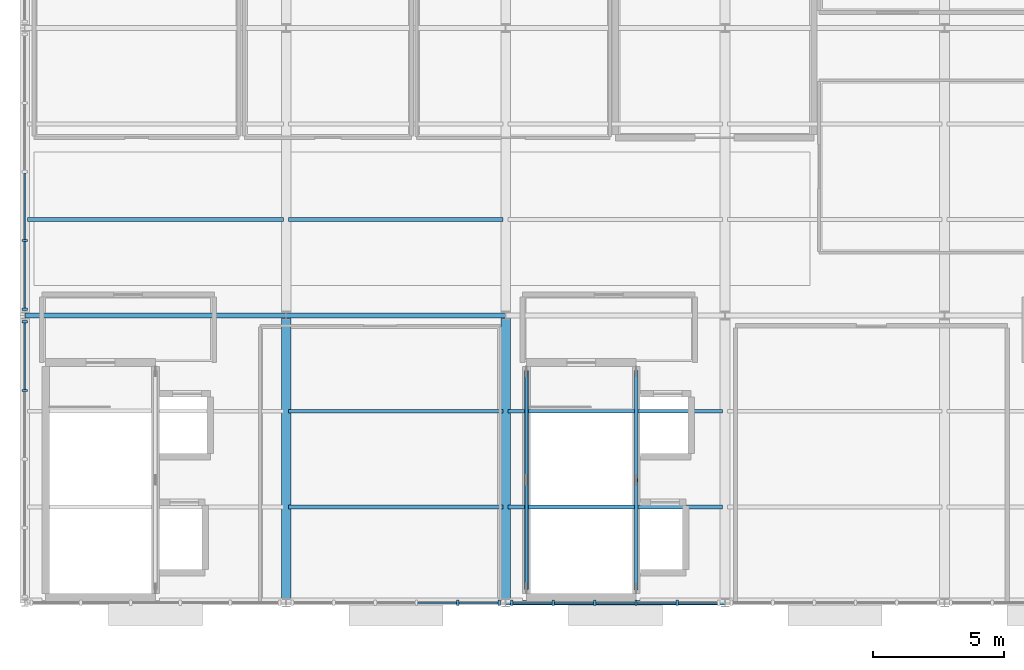
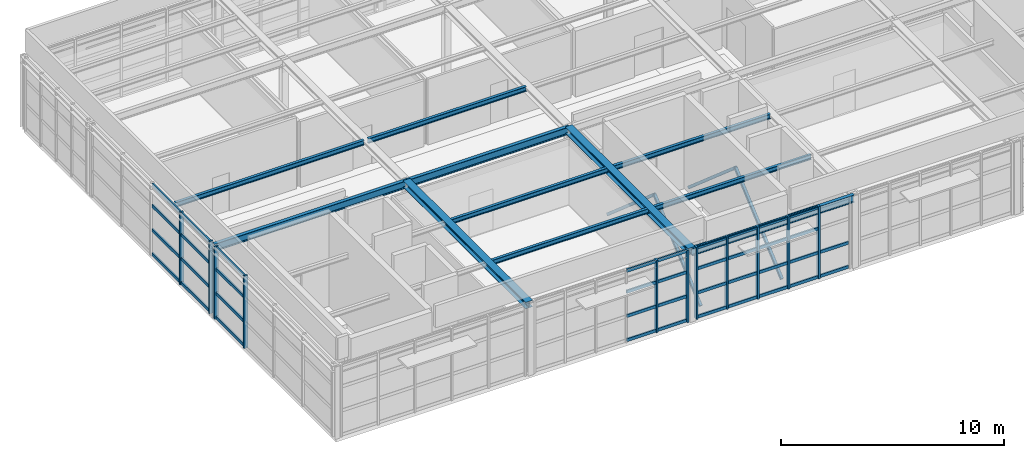
# One storey, part 5 of 18: 53 members, 11 beams, 4 elements without a shape of their own.
"""IFC4 building model written with IfcOpenShell, lengths in metres."""

import ifcopenshell
import ifcopenshell.guid

model = None  # the IFC model being written
_history = None  # IfcOwnerHistory: only IFC2X3 demands one
_inside = {}  # id of a spatial element -> (the spatial element, [elements in it])
_under = {}  # id of a project, library or spatial element -> (it, [spatial elements below it])
_declared = {}  # id of a project -> (the project, [libraries it declares])
_typed = {}  # id of a type object -> (the type object, [elements of that type])
_made_of = {}  # id of a material, layer set ... -> (it, [elements and type objects made of it])


def new_model(schema):
    """Start an empty IFC model of exactly this schema.

    Asked for "IFC4X3", IfcOpenShell would pick the latest addendum, in which some entities
    have other attributes; the version numbers below select the first issue.
    IFC2X3 requires an IfcOwnerHistory on every rooted entity: one is made here for all.
    """
    global model, _history
    if schema == "IFC4X3":
        model = ifcopenshell.file(schema_version=(4, 3, 0, 0))
    else:
        model = ifcopenshell.file(schema=schema)
    _inside.clear()
    _under.clear()
    _declared.clear()
    _typed.clear()
    _made_of.clear()
    _history = None
    if model.schema == "IFC2X3":
        org = make("IfcOrganization", Name="unknown")
        user = make(
            "IfcPersonAndOrganization",
            ThePerson=make("IfcPerson", FamilyName="unknown"),
            TheOrganization=org,
        )
        app = make(
            "IfcApplication",
            ApplicationDeveloper=org,
            Version="unknown",
            ApplicationFullName="unknown",
            ApplicationIdentifier="unknown",
        )
        _history = make(
            "IfcOwnerHistory",
            OwningUser=user,
            OwningApplication=app,
            ChangeAction="ADDED",
            CreationDate=0,
        )
    return model


def make(cls, **values):
    """One entity of the class cls with the attributes given. An attribute that is None is left unset."""
    return model.create_entity(
        cls, **{name: value for name, value in values.items() if value is not None}
    )


def rooted(cls, **values):
    """An entity with a GlobalId (a new one), such as an element, a storey or a relation."""
    return make(cls, GlobalId=ifcopenshell.guid.new(), OwnerHistory=_history, **values)


def si_unit(unit_type, name, prefix=None):
    """IfcSIUnit, for example si_unit("LENGTHUNIT", "METRE", prefix="MILLI")."""
    return make("IfcSIUnit", UnitType=unit_type, Prefix=prefix, Name=name)


def assignment(units):
    """IfcUnitAssignment: the units of a project."""
    return None if units is None else make("IfcUnitAssignment", Units=units)


def point(xyz):
    """IfcCartesianPoint."""
    return None if xyz is None else make("IfcCartesianPoint", Coordinates=xyz)


def direction(xyz):
    """IfcDirection."""
    return None if xyz is None else make("IfcDirection", DirectionRatios=xyz)


def frame(location, z_axis=None, x_axis=None):
    """IfcAxis2Placement3D, a coordinate frame: its origin and axes. An axis left out is left unset."""
    return make(
        "IfcAxis2Placement3D",
        Location=point(location),
        Axis=direction(z_axis),
        RefDirection=direction(x_axis),
    )


def frame_2d(location, x_axis=None):
    """IfcAxis2Placement2D, a coordinate frame in the plane: its origin and x axis."""
    return make(
        "IfcAxis2Placement2D", Location=point(location), RefDirection=direction(x_axis)
    )


def origin():
    """The frame at (0, 0, 0) with its axes left unset."""
    return frame((0.0, 0.0, 0.0))


def origin_2d():
    """The frame at (0, 0) in the plane with its x axis left unset."""
    return frame_2d((0.0, 0.0))


def place(relative_to, where):
    """IfcLocalPlacement: puts the frame where relative to a parent placement (None: the world)."""
    return make(
        "IfcLocalPlacement", PlacementRelTo=relative_to, RelativePlacement=where
    )


def context(
    kind, dimensions, precision=None, world=None, true_north=None, identifier=None
):
    """IfcGeometricRepresentationContext, for example the 3D "Model" context."""
    return make(
        "IfcGeometricRepresentationContext",
        ContextIdentifier=identifier,
        ContextType=kind,
        CoordinateSpaceDimension=dimensions,
        Precision=precision,
        WorldCoordinateSystem=world,
        TrueNorth=true_north,
    )


def subcontext(parent, identifier, kind, view, scale=None):
    """IfcGeometricRepresentationSubContext, for example "Body" below "Model"."""
    return make(
        "IfcGeometricRepresentationSubContext",
        ContextIdentifier=identifier,
        ContextType=kind,
        ParentContext=parent,
        TargetScale=scale,
        TargetView=view,
    )


def project(units=None, contexts=None):
    """IfcProject with its units and contexts."""
    return rooted(
        "IfcProject",
        Name="project",
        RepresentationContexts=contexts,
        UnitsInContext=assignment(units),
    )


def spatial(cls, under=None, at=None, **own):
    """A site, building, storey or space (cls), placed at a placement, below another one or the project."""
    s = rooted(cls, ObjectPlacement=at, **own)
    if under is not None:
        _under.setdefault(under.id(), (under, []))[1].append(s)
    return s


def profile(cls, at=None, kind="AREA", **sizes):
    """A parametric profile (cls). Its sizes go by their IFC names, for example OverallWidth=200.0."""
    return make(cls, ProfileType=kind, Position=at, **sizes)


def rectangle(**sizes):
    """IfcRectangleProfileDef."""
    return profile("IfcRectangleProfileDef", **sizes)


def hollow_rectangle(**sizes):
    """IfcRectangleHollowProfileDef."""
    return profile("IfcRectangleHollowProfileDef", **sizes)


def i_section(**sizes):
    """IfcIShapeProfileDef."""
    return profile("IfcIShapeProfileDef", **sizes)


def extrude(swept, where, along, depth):
    """IfcExtrudedAreaSolid: the profile swept, set in the frame where, extruded along a direction by depth."""
    return make(
        "IfcExtrudedAreaSolid",
        SweptArea=swept,
        Position=where,
        ExtrudedDirection=direction(along),
        Depth=depth,
    )


def shape(context_of_items, identifier, shape_type, items):
    """IfcShapeRepresentation: the items that make up one representation, for example the "Body"."""
    return make(
        "IfcShapeRepresentation",
        ContextOfItems=context_of_items,
        RepresentationIdentifier=identifier,
        RepresentationType=shape_type,
        Items=items,
    )


def material(Name=None, Category=None):
    """IfcMaterial."""
    return make("IfcMaterial", Name=Name, Category=Category)


def layer(
    of_material, thickness, ventilated=None, Name=None, Category=None, Priority=None
):
    """IfcMaterialLayer: one layer of a wall or slab, of a material (None: an air gap)."""
    return make(
        "IfcMaterialLayer",
        Material=of_material,
        LayerThickness=thickness,
        IsVentilated=ventilated,
        Name=Name,
        Category=Category,
        Priority=Priority,
    )


def layer_set(layers, Name=None):
    """IfcMaterialLayerSet."""
    return make("IfcMaterialLayerSet", MaterialLayers=layers, LayerSetName=Name)


def material_profile(
    of_material, cross_section, Name=None, Category=None, Priority=None
):
    """IfcMaterialProfile: a cross section and its material."""
    return make(
        "IfcMaterialProfile",
        Name=Name,
        Material=of_material,
        Profile=cross_section,
        Priority=Priority,
        Category=Category,
    )


def profile_set(profiles, Name=None, composite=None):
    """IfcMaterialProfileSet."""
    return make(
        "IfcMaterialProfileSet",
        Name=Name,
        MaterialProfiles=profiles,
        CompositeProfile=composite,
    )


def made_of(thing, what):
    """Note that an element or type object is made of a material, layer set ...; save() writes the relation."""
    if what is not None:
        _made_of.setdefault(what.id(), (what, []))[1].append(thing)
    return thing


def type_object(cls, material=None, **own):
    """A type object (cls), such as IfcWallType, which elements share."""
    return made_of(rooted(cls, **own), material)


def element(
    cls,
    number,
    at=None,
    inside=None,
    cuts=None,
    type_object=None,
    material=None,
    context=None,
    identifier="Body",
    shape_type=None,
    held_by="IfcProductDefinitionShape",
    body=None,
    shapes=None,
    **own,
):
    """One element of the class cls, such as IfcWall. Its Tag is "e" and its number.

    at: its placement. inside: the storey or other place that contains it. cuts: it is an
    opening in that element (IfcRelVoidsElement). A single representation is given by context,
    identifier, shape_type and body (its items); several are given by shapes. held_by: the class
    of the entity that holds the representations. save() writes the other relations.
    """
    e = rooted(cls, Tag="e%d" % number, ObjectPlacement=at, **own)
    if body is not None:
        shapes = [shape(context, identifier, shape_type, body)]
    if shapes is not None:
        e.Representation = make(held_by, Representations=shapes)
    if inside is not None:
        _inside.setdefault(inside.id(), (inside, []))[1].append(e)
    if cuts is not None:
        rooted(
            "IfcRelVoidsElement", RelatingBuildingElement=cuts, RelatedOpeningElement=e
        )
    if type_object is not None:
        _typed.setdefault(type_object.id(), (type_object, []))[1].append(e)
    return made_of(e, material)


def aggregate(whole, parts):
    """IfcRelAggregates: a whole, such as a stair, and the parts it consists of."""
    return rooted("IfcRelAggregates", RelatingObject=whole, RelatedObjects=parts)


def save(model, path):
    """Write the relations noted so far, then the file.

    IfcRelAggregates (storeys below a building ...), IfcRelContainedInSpatialStructure (elements
    in a storey), IfcRelDefinesByType, IfcRelAssociatesMaterial and IfcRelDeclares: one each for
    every whole, place, type object, material and project.
    """
    for whole, parts in _under.values():
        aggregate(whole, parts)
    for where, things in _inside.values():
        rooted(
            "IfcRelContainedInSpatialStructure",
            RelatedElements=things,
            RelatingStructure=where,
        )
    for kind, things in _typed.values():
        rooted("IfcRelDefinesByType", RelatedObjects=things, RelatingType=kind)
    for what, things in _made_of.values():
        rooted("IfcRelAssociatesMaterial", RelatedObjects=things, RelatingMaterial=what)
    for by, libraries in _declared.values():
        rooted("IfcRelDeclares", RelatingContext=by, RelatedDefinitions=libraries)
    model.write(path)


model = new_model("IFC4")

# Units and contexts
model_context = context("Model", 3, precision=1e-05, world=origin(), true_north=direction((0.0, 1.0)))
body_context = subcontext(model_context, "Body", "Model", "MODEL_VIEW")
ifc_project = project(units=[si_unit("LENGTHUNIT", "METRE"), si_unit("AREAUNIT", "SQUARE_METRE"), si_unit("VOLUMEUNIT", "CUBIC_METRE"), si_unit("PLANEANGLEUNIT", "RADIAN"), si_unit("MASSUNIT", "GRAM", prefix="KILO")], contexts=[model_context])

# Site, building, storey
site_placement = place(None, origin())
site = spatial("IfcSite", under=ifc_project, at=site_placement, CompositionType="ELEMENT")
building_placement = place(site_placement, origin())
building = spatial("IfcBuilding", under=site, at=building_placement, Name="Sitalva Quay Ferry Terminal", CompositionType="ELEMENT")
storey_placement = place(building_placement, frame((0.0, 0.0, 18.60009765625)))
storey = spatial("IfcBuildingStorey", under=building, at=storey_placement, Name="L05", CompositionType="ELEMENT", Elevation=18.60009765625)

# Beams
ifc_material_1 = material(Name="Structural Steel S355JR", Category="steel")
ifc_material_profile_1 = material_profile(ifc_material_1, i_section(OverallWidth=0.368896484375, OverallDepth=0.35595703125, WebThickness=0.01123046875, FlangeThickness=0.01806640625, FilletRadius=0.014892578125, at=origin_2d()), Name="W360x134")
ifc_profile_set_1 = profile_set([ifc_material_profile_1], Name="Structural Steel S355JR")
beam_type_1 = type_object("IfcBeamType", Name="Beam_W360x134", PredefinedType="BEAM", material=ifc_profile_set_1)
for number, where, z_axis, x_axis, name in (
    (1, (84.0, 78.0, 3.781982421875), (0.0, 1.0, 0.0), (-1.0, 0.0, 0.0), "L05 Primary Y girder 1423"),
    (2, (92.39990234375, 78.0, 3.781982421875), (0.0, 1.0, 0.0), (-1.0, 0.0, 0.0), "L05 Primary Y girder 1426"),
):
    element("IfcBeam", number, at=place(storey_placement, frame(where, z_axis=z_axis, x_axis=x_axis)), inside=storey, type_object=beam_type_1, Name=name, PredefinedType="BEAM", context=body_context, shape_type="SweptSolid", body=[
        extrude(i_section(OverallWidth=0.368896484375, OverallDepth=0.35595703125, WebThickness=0.01123046875, FlangeThickness=0.01806640625, FilletRadius=0.014892578125, at=origin_2d()), origin(), (0.0, 0.0, 1.0), 11.0),
    ])
ifc_material_2 = material(Name="Structural Steel S355JR", Category="steel")
ifc_material_profile_2 = material_profile(ifc_material_2, i_section(OverallWidth=0.178955078125, OverallDepth=0.409912109375, WebThickness=0.0087890625, FlangeThickness=0.014404296875, FilletRadius=0.012939453125, at=origin_2d()), Name="W410x67")
ifc_profile_set_2 = profile_set([ifc_material_profile_2], Name="Structural Steel S355JR")
beam_type_2 = type_object("IfcBeamType", Name="Beam_W410x67", PredefinedType="BEAM", material=ifc_profile_set_2)
beam_1_placement = place(storey_placement, frame((92.39990234375, 78.0, 3.7548828125), z_axis=(1.0, 0.0, 0.0), x_axis=(0.0, 1.0, 0.0)))
element("IfcBeam", 3, at=beam_1_placement, inside=storey, type_object=beam_type_2, Name="L05 Primary X girder 1402", PredefinedType="BEAM", context=body_context, shape_type="SweptSolid", body=[
    extrude(i_section(OverallWidth=0.178955078125, OverallDepth=0.409912109375, WebThickness=0.0087890625, FlangeThickness=0.014404296875, FilletRadius=0.012939453125, at=origin_2d()), origin(), (0.0, 0.0, 1.0), 8.400146484375),
])
beam_2_placement = place(storey_placement, frame((74.0, 89.0, 3.7548828125), z_axis=(1.0, 0.0, 0.0), x_axis=(0.0, 1.0, 0.0)))
element("IfcBeam", 4, at=beam_2_placement, inside=storey, type_object=beam_type_2, Name="L05 Primary X girder 1405", PredefinedType="BEAM", context=body_context, shape_type="SweptSolid", body=[
    extrude(i_section(OverallWidth=0.178955078125, OverallDepth=0.409912109375, WebThickness=0.0087890625, FlangeThickness=0.014404296875, FilletRadius=0.012939453125, at=origin_2d()), origin(), (0.0, 0.0, 1.0), 10.0),
])
beam_3_placement = place(storey_placement, frame((84.0, 89.0, 3.7548828125), z_axis=(1.0, 0.0, 0.0), x_axis=(0.0, 1.0, 0.0)))
element("IfcBeam", 5, at=beam_3_placement, inside=storey, type_object=beam_type_2, Name="L05 Primary X girder 1406", PredefinedType="BEAM", context=body_context, shape_type="SweptSolid", body=[
    extrude(i_section(OverallWidth=0.178955078125, OverallDepth=0.409912109375, WebThickness=0.0087890625, FlangeThickness=0.014404296875, FilletRadius=0.012939453125, at=origin_2d()), origin(), (0.0, 0.0, 1.0), 8.39990234375),
])

# Members
ifc_material_3 = material(Name="Structural Steel S355JR", Category="steel")
ifc_material_profile_3 = material_profile(ifc_material_3, hollow_rectangle(XDim=0.14990234375, YDim=0.14990234375, WallThickness=0.008056640625, InnerFilletRadius=0.008056640625, OuterFilletRadius=0.01611328125, at=origin_2d()), Name="SHS150x150x8")
ifc_profile_set_3 = profile_set([ifc_material_profile_3], Name="Structural Steel S355JR")
member_type_1 = type_object("IfcMemberType", Name="Brace_SHS150x8", PredefinedType="BRACE", material=ifc_profile_set_3)
member_1_placement = place(storey_placement, frame((97.39990234375, 78.550048828125, 0.14990234375), z_axis=(0.0, 0.756274516231, 0.654254427649), x_axis=(-1.0, 0.0, 0.0)))
element("IfcMember", 6, at=member_1_placement, inside=storey, type_object=member_type_1, Name="Braced frame BF3 L05 chevron A", PredefinedType="BRACE", context=body_context, shape_type="SweptSolid", body=[
    extrude(hollow_rectangle(XDim=0.14990234375, YDim=0.14990234375, WallThickness=0.008056640625, InnerFilletRadius=0.008056640625, OuterFilletRadius=0.01611328125, at=origin_2d()), origin(), (0.0, 0.0, 1.0), 5.4873046875),
])
member_2_placement = place(storey_placement, frame((97.39990234375, 82.699951171875, 3.739990234375), z_axis=(0.0, 0.756293560007, -0.654232413666), x_axis=(-1.0, 0.0, 0.0)))
element("IfcMember", 7, at=member_2_placement, inside=storey, type_object=member_type_1, Name="Braced frame BF3 L05 chevron B", PredefinedType="BRACE", context=body_context, shape_type="SweptSolid", body=[
    extrude(hollow_rectangle(XDim=0.14990234375, YDim=0.14990234375, WallThickness=0.008056640625, InnerFilletRadius=0.008056640625, OuterFilletRadius=0.01611328125, at=origin_2d()), origin(), (0.0, 0.0, 1.0), 5.487548828125),
])
member_3_placement = place(storey_placement, frame((93.199951171875, 78.550048828125, 0.14990234375), z_axis=(0.0, 0.756274516231, 0.654254427649), x_axis=(-1.0, 0.0, 0.0)))
element("IfcMember", 8, at=member_3_placement, inside=storey, type_object=member_type_1, Name="Braced frame BF6 L05 chevron A", PredefinedType="BRACE", context=body_context, shape_type="SweptSolid", body=[
    extrude(hollow_rectangle(XDim=0.14990234375, YDim=0.14990234375, WallThickness=0.008056640625, InnerFilletRadius=0.008056640625, OuterFilletRadius=0.01611328125, at=origin_2d()), origin(), (0.0, 0.0, 1.0), 5.4873046875),
])
member_4_placement = place(storey_placement, frame((93.199951171875, 82.699951171875, 3.739990234375), z_axis=(0.0, 0.756293560007, -0.654232413666), x_axis=(-1.0, 0.0, 0.0)))
element("IfcMember", 9, at=member_4_placement, inside=storey, type_object=member_type_1, Name="Braced frame BF6 L05 chevron B", PredefinedType="BRACE", context=body_context, shape_type="SweptSolid", body=[
    extrude(hollow_rectangle(XDim=0.14990234375, YDim=0.14990234375, WallThickness=0.008056640625, InnerFilletRadius=0.008056640625, OuterFilletRadius=0.01611328125, at=origin_2d()), origin(), (0.0, 0.0, 1.0), 5.487548828125),
])

# Beams
ifc_material_4 = material(Name="Structural Steel S355JR", Category="steel")
ifc_material_profile_4 = material_profile(ifc_material_4, i_section(OverallWidth=0.14697265625, OverallDepth=0.261962890625, WebThickness=0.006591796875, FlangeThickness=0.01123046875, FilletRadius=0.010009765625, at=origin_2d()), Name="W250x39")
ifc_profile_set_4 = profile_set([ifc_material_profile_4], Name="Structural Steel S355JR")
beam_type_3 = type_object("IfcBeamType", Name="Joist_W250x39", PredefinedType="JOIST", material=ifc_profile_set_4)
for number, where, z_axis, x_axis, name in (
    (10, (84.10009765625, 81.666748046875, 3.828857421875), (1.0, 0.0, 0.0), (0.0, 1.0, 0.0), "L05 Secondary joist 1439"),
    (11, (92.5, 81.666748046875, 3.828857421875), (1.0, 0.0, 0.0), (0.0, 1.0, 0.0), "L05 Secondary joist 1440"),
    (12, (84.10009765625, 85.333251953125, 3.828857421875), (1.0, 0.0, 0.0), (0.0, 1.0, 0.0), "L05 Secondary joist 1444"),
    (13, (92.5, 85.333251953125, 3.828857421875), (1.0, 0.0, 0.0), (0.0, 1.0, 0.0), "L05 Secondary joist 1445"),
):
    element("IfcBeam", number, at=place(storey_placement, frame(where, z_axis=z_axis, x_axis=x_axis)), inside=storey, type_object=beam_type_3, Name=name, PredefinedType="JOIST", context=body_context, shape_type="SweptSolid", body=[
        extrude(i_section(OverallWidth=0.14697265625, OverallDepth=0.261962890625, WebThickness=0.006591796875, FlangeThickness=0.01123046875, FilletRadius=0.010009765625, at=origin_2d()), origin(), (0.0, 0.0, 1.0), 8.199951171875),
    ])
beam_4_placement = place(storey_placement, frame((74.10009765625, 92.666748046875, 3.828857421875), z_axis=(1.0, 0.0, 0.0), x_axis=(0.0, 1.0, 0.0)))
element("IfcBeam", 14, at=beam_4_placement, inside=storey, type_object=beam_type_3, Name="L05 Secondary joist 1448", PredefinedType="JOIST", context=body_context, shape_type="SweptSolid", body=[
    extrude(i_section(OverallWidth=0.14697265625, OverallDepth=0.261962890625, WebThickness=0.006591796875, FlangeThickness=0.01123046875, FilletRadius=0.010009765625, at=origin_2d()), origin(), (0.0, 0.0, 1.0), 9.7998046875),
])
beam_5_placement = place(storey_placement, frame((84.10009765625, 92.666748046875, 3.828857421875), z_axis=(1.0, 0.0, 0.0), x_axis=(0.0, 1.0, 0.0)))
element("IfcBeam", 15, at=beam_5_placement, inside=storey, type_object=beam_type_3, Name="L05 Secondary joist 1449", PredefinedType="JOIST", context=body_context, shape_type="SweptSolid", body=[
    extrude(i_section(OverallWidth=0.14697265625, OverallDepth=0.261962890625, WebThickness=0.006591796875, FlangeThickness=0.01123046875, FilletRadius=0.010009765625, at=origin_2d()), origin(), (0.0, 0.0, 1.0), 8.199951171875),
])

# Curtain wall, members
ifc_material_5 = material(Name="Anodised Aluminium & Low-E Glazing", Category="aluminium")
ifc_layer = layer(ifc_material_5, 0.159912109375)
ifc_layer_set = layer_set([ifc_layer], Name="Anodised Aluminium & Low-E Glazing")
curtain_wall_type = type_object("IfcCurtainWallType", Name="CW_VTS_Sloped", PredefinedType="USERDEFINED", material=ifc_layer_set)
curtain_wall_1_placement = place(storey_placement, origin())
curtain_wall_1 = element("IfcCurtainWall", 16, at=curtain_wall_1_placement, inside=storey, type_object=curtain_wall_type, Name="L05 VTS west panoramic glazing (CW-L05-149)", ObjectType="CURTAIN_WALL", PredefinedType="USERDEFINED")
ifc_material_6 = material(Name="Anodised Aluminium 6063-T6", Category="aluminium")
ifc_material_profile_5 = material_profile(ifc_material_6, rectangle(XDim=0.090087890625, YDim=0.199951171875, at=origin_2d()), Name="ALU90x200")
ifc_profile_set_5 = profile_set([ifc_material_profile_5], Name="Anodised Aluminium 6063-T6")
member_type_2 = type_object("IfcMemberType", Name="Mullion_Alu_90x200", PredefinedType="MULLION", material=ifc_profile_set_5)
member_5_placement = place(storey_placement, frame((74.0, 86.1298828125, 0.0), z_axis=(0.0, 0.0, 1.0), x_axis=(0.0, 1.0, 0.0)))
member_5 = element("IfcMember", 17, at=member_5_placement, type_object=member_type_2, Name="CW-L05-149-M3", PredefinedType="MULLION", context=body_context, shape_type="SweptSolid", body=[
    extrude(rectangle(XDim=0.090087890625, YDim=0.199951171875, at=origin_2d()), origin(), (0.0, 0.0, 1.0), 3.9599609375),
])
member_6_placement = place(storey_placement, frame((74.0, 88.760009765625, 0.0), z_axis=(0.0, 0.0, 1.0), x_axis=(0.0, 1.0, 0.0)))
member_6 = element("IfcMember", 18, at=member_6_placement, type_object=member_type_2, Name="CW-L05-149-M4", PredefinedType="MULLION", context=body_context, shape_type="SweptSolid", body=[
    extrude(rectangle(XDim=0.090087890625, YDim=0.199951171875, at=origin_2d()), origin(), (0.0, 0.0, 1.0), 3.9599609375),
])

curtain_wall_2_placement = place(storey_placement, origin())
curtain_wall_2 = element("IfcCurtainWall", 19, at=curtain_wall_2_placement, inside=storey, type_object=curtain_wall_type, Name="L05 VTS west panoramic glazing (CW-L05-151)", ObjectType="CURTAIN_WALL", PredefinedType="USERDEFINED")
member_7_placement = place(storey_placement, frame((74.0, 89.239990234375, 0.0), z_axis=(0.0, 0.0, 1.0), x_axis=(0.0, 1.0, 0.0)))
member_7 = element("IfcMember", 20, at=member_7_placement, type_object=member_type_2, Name="CW-L05-151-M0", PredefinedType="MULLION", context=body_context, shape_type="SweptSolid", body=[
    extrude(rectangle(XDim=0.090087890625, YDim=0.199951171875, at=origin_2d()), origin(), (0.0, 0.0, 1.0), 3.9599609375),
])
member_8_placement = place(storey_placement, frame((74.0, 91.8701171875, 0.0), z_axis=(0.0, 0.0, 1.0), x_axis=(0.0, 1.0, 0.0)))
member_8 = element("IfcMember", 21, at=member_8_placement, type_object=member_type_2, Name="CW-L05-151-M1", PredefinedType="MULLION", context=body_context, shape_type="SweptSolid", body=[
    extrude(rectangle(XDim=0.090087890625, YDim=0.199951171875, at=origin_2d()), origin(), (0.0, 0.0, 1.0), 3.9599609375),
])

curtain_wall_3_placement = place(storey_placement, origin())
curtain_wall_3 = element("IfcCurtainWall", 22, at=curtain_wall_3_placement, inside=storey, type_object=curtain_wall_type, Name="L05 VTS river-view panoramic south glazing (CW-L05-156)", ObjectType="CURTAIN_WALL", PredefinedType="USERDEFINED")
member_9_placement = place(storey_placement, frame((90.575927734375, 78.0, 0.0), z_axis=(0.0, 0.0, 1.0), x_axis=(1.0, 0.0, 0.0)))
member_9 = element("IfcMember", 23, at=member_9_placement, type_object=member_type_2, Name="CW-L05-156-M4", PredefinedType="MULLION", context=body_context, shape_type="SweptSolid", body=[
    extrude(rectangle(XDim=0.090087890625, YDim=0.199951171875, at=origin_2d()), origin(), (0.0, 0.0, 1.0), 3.9599609375),
])
member_10_placement = place(storey_placement, frame((92.159912109375, 78.0, 0.0), z_axis=(0.0, 0.0, 1.0), x_axis=(1.0, 0.0, 0.0)))
member_10 = element("IfcMember", 24, at=member_10_placement, type_object=member_type_2, Name="CW-L05-156-M5", PredefinedType="MULLION", context=body_context, shape_type="SweptSolid", body=[
    extrude(rectangle(XDim=0.090087890625, YDim=0.199951171875, at=origin_2d()), origin(), (0.0, 0.0, 1.0), 3.9599609375),
])

curtain_wall_4_placement = place(storey_placement, origin())
curtain_wall_4 = element("IfcCurtainWall", 25, at=curtain_wall_4_placement, inside=storey, type_object=curtain_wall_type, Name="L05 VTS river-view panoramic south glazing (CW-L05-158)", ObjectType="CURTAIN_WALL", PredefinedType="USERDEFINED")
member_11_placement = place(storey_placement, frame((92.639892578125, 78.0, 0.0), z_axis=(0.0, 0.0, 1.0), x_axis=(1.0, 0.0, 0.0)))
member_11 = element("IfcMember", 26, at=member_11_placement, type_object=member_type_2, Name="CW-L05-158-M0", PredefinedType="MULLION", context=body_context, shape_type="SweptSolid", body=[
    extrude(rectangle(XDim=0.090087890625, YDim=0.199951171875, at=origin_2d()), origin(), (0.0, 0.0, 1.0), 3.9599609375),
])
member_12_placement = place(storey_placement, frame((94.22412109375, 78.0, 0.0), z_axis=(0.0, 0.0, 1.0), x_axis=(1.0, 0.0, 0.0)))
member_12 = element("IfcMember", 27, at=member_12_placement, type_object=member_type_2, Name="CW-L05-158-M1", PredefinedType="MULLION", context=body_context, shape_type="SweptSolid", body=[
    extrude(rectangle(XDim=0.090087890625, YDim=0.199951171875, at=origin_2d()), origin(), (0.0, 0.0, 1.0), 3.9599609375),
])
member_13_placement = place(storey_placement, frame((95.80810546875, 78.0, 0.0), z_axis=(0.0, 0.0, 1.0), x_axis=(1.0, 0.0, 0.0)))
member_13 = element("IfcMember", 28, at=member_13_placement, type_object=member_type_2, Name="CW-L05-158-M2", PredefinedType="MULLION", context=body_context, shape_type="SweptSolid", body=[
    extrude(rectangle(XDim=0.090087890625, YDim=0.199951171875, at=origin_2d()), origin(), (0.0, 0.0, 1.0), 3.9599609375),
])
member_14_placement = place(storey_placement, frame((97.39208984375, 78.0, 0.0), z_axis=(0.0, 0.0, 1.0), x_axis=(1.0, 0.0, 0.0)))
member_14 = element("IfcMember", 29, at=member_14_placement, type_object=member_type_2, Name="CW-L05-158-M3", PredefinedType="MULLION", context=body_context, shape_type="SweptSolid", body=[
    extrude(rectangle(XDim=0.090087890625, YDim=0.199951171875, at=origin_2d()), origin(), (0.0, 0.0, 1.0), 3.9599609375),
])
member_15_placement = place(storey_placement, frame((98.97607421875, 78.0, 0.0), z_axis=(0.0, 0.0, 1.0), x_axis=(1.0, 0.0, 0.0)))
member_15 = element("IfcMember", 30, at=member_15_placement, type_object=member_type_2, Name="CW-L05-158-M4", PredefinedType="MULLION", context=body_context, shape_type="SweptSolid", body=[
    extrude(rectangle(XDim=0.090087890625, YDim=0.199951171875, at=origin_2d()), origin(), (0.0, 0.0, 1.0), 3.9599609375),
])

# Member
ifc_material_7 = material(Name="Anodised Aluminium 6063-T6", Category="aluminium")
ifc_material_profile_6 = material_profile(ifc_material_7, rectangle(XDim=0.080078125, YDim=0.1650390625, at=origin_2d()), Name="ALU80x165")
ifc_profile_set_6 = profile_set([ifc_material_profile_6], Name="Anodised Aluminium 6063-T6")
member_type_3 = type_object("IfcMemberType", Name="Transom_Alu_80x165", PredefinedType="MULLION", material=ifc_profile_set_6)
member_16_placement = place(storey_placement, frame((74.0, 86.175048828125, 0.08251953125), z_axis=(0.0, 1.0, 0.0), x_axis=(-1.0, 0.0, 0.0)))
member_16 = element("IfcMember", 31, at=member_16_placement, type_object=member_type_3, Name="CW-L05-149-T3-0", ObjectType="TRANSOM", PredefinedType="USERDEFINED", context=body_context, shape_type="SweptSolid", body=[
    extrude(rectangle(XDim=0.080078125, YDim=0.1650390625, at=origin_2d()), origin(), (0.0, 0.0, 1.0), 2.5400390625),
])

member_17_placement = place(storey_placement, frame((74.0, 86.175048828125, 1.40234375), z_axis=(0.0, 1.0, 0.0), x_axis=(-1.0, 0.0, 0.0)))
member_17 = element("IfcMember", 32, at=member_17_placement, type_object=member_type_3, Name="CW-L05-149-T3-1", ObjectType="TRANSOM", PredefinedType="USERDEFINED", context=body_context, shape_type="SweptSolid", body=[
    extrude(rectangle(XDim=0.080078125, YDim=0.1650390625, at=origin_2d()), origin(), (0.0, 0.0, 1.0), 2.5400390625),
])

member_18_placement = place(storey_placement, frame((74.0, 86.175048828125, 2.722412109375), z_axis=(0.0, 1.0, 0.0), x_axis=(-1.0, 0.0, 0.0)))
member_18 = element("IfcMember", 33, at=member_18_placement, type_object=member_type_3, Name="CW-L05-149-T3-2", ObjectType="TRANSOM", PredefinedType="USERDEFINED", context=body_context, shape_type="SweptSolid", body=[
    extrude(rectangle(XDim=0.080078125, YDim=0.1650390625, at=origin_2d()), origin(), (0.0, 0.0, 1.0), 2.5400390625),
])

member_19_placement = place(storey_placement, frame((74.0, 86.175048828125, 3.87744140625), z_axis=(0.0, 1.0, 0.0), x_axis=(-1.0, 0.0, 0.0)))
member_19 = element("IfcMember", 34, at=member_19_placement, type_object=member_type_3, Name="CW-L05-149-T3-3", ObjectType="TRANSOM", PredefinedType="USERDEFINED", context=body_context, shape_type="SweptSolid", body=[
    extrude(rectangle(XDim=0.080078125, YDim=0.1650390625, at=origin_2d()), origin(), (0.0, 0.0, 1.0), 2.5400390625),
])

aggregate(curtain_wall_1, [member_5, member_6, member_16, member_17, member_18, member_19])

member_20_placement = place(storey_placement, frame((74.0, 89.284912109375, 0.08251953125), z_axis=(0.0, 1.0, 0.0), x_axis=(-1.0, 0.0, 0.0)))
member_20 = element("IfcMember", 35, at=member_20_placement, type_object=member_type_3, Name="CW-L05-151-T0-0", ObjectType="TRANSOM", PredefinedType="USERDEFINED", context=body_context, shape_type="SweptSolid", body=[
    extrude(rectangle(XDim=0.080078125, YDim=0.1650390625, at=origin_2d()), origin(), (0.0, 0.0, 1.0), 2.5400390625),
])

member_21_placement = place(storey_placement, frame((74.0, 89.284912109375, 1.40234375), z_axis=(0.0, 1.0, 0.0), x_axis=(-1.0, 0.0, 0.0)))
member_21 = element("IfcMember", 36, at=member_21_placement, type_object=member_type_3, Name="CW-L05-151-T0-1", ObjectType="TRANSOM", PredefinedType="USERDEFINED", context=body_context, shape_type="SweptSolid", body=[
    extrude(rectangle(XDim=0.080078125, YDim=0.1650390625, at=origin_2d()), origin(), (0.0, 0.0, 1.0), 2.5400390625),
])

member_22_placement = place(storey_placement, frame((74.0, 89.284912109375, 2.722412109375), z_axis=(0.0, 1.0, 0.0), x_axis=(-1.0, 0.0, 0.0)))
member_22 = element("IfcMember", 37, at=member_22_placement, type_object=member_type_3, Name="CW-L05-151-T0-2", ObjectType="TRANSOM", PredefinedType="USERDEFINED", context=body_context, shape_type="SweptSolid", body=[
    extrude(rectangle(XDim=0.080078125, YDim=0.1650390625, at=origin_2d()), origin(), (0.0, 0.0, 1.0), 2.5400390625),
])

member_23_placement = place(storey_placement, frame((74.0, 89.284912109375, 3.87744140625), z_axis=(0.0, 1.0, 0.0), x_axis=(-1.0, 0.0, 0.0)))
member_23 = element("IfcMember", 38, at=member_23_placement, type_object=member_type_3, Name="CW-L05-151-T0-3", ObjectType="TRANSOM", PredefinedType="USERDEFINED", context=body_context, shape_type="SweptSolid", body=[
    extrude(rectangle(XDim=0.080078125, YDim=0.1650390625, at=origin_2d()), origin(), (0.0, 0.0, 1.0), 2.5400390625),
])

member_24_placement = place(storey_placement, frame((74.0, 91.9150390625, 0.08251953125), z_axis=(0.0, 1.0, 0.0), x_axis=(-1.0, 0.0, 0.0)))
member_24 = element("IfcMember", 39, at=member_24_placement, type_object=member_type_3, Name="CW-L05-151-T1-0", ObjectType="TRANSOM", PredefinedType="USERDEFINED", context=body_context, shape_type="SweptSolid", body=[
    extrude(rectangle(XDim=0.080078125, YDim=0.1650390625, at=origin_2d()), origin(), (0.0, 0.0, 1.0), 2.5400390625),
])

member_25_placement = place(storey_placement, frame((74.0, 91.9150390625, 1.40234375), z_axis=(0.0, 1.0, 0.0), x_axis=(-1.0, 0.0, 0.0)))
member_25 = element("IfcMember", 40, at=member_25_placement, type_object=member_type_3, Name="CW-L05-151-T1-1", ObjectType="TRANSOM", PredefinedType="USERDEFINED", context=body_context, shape_type="SweptSolid", body=[
    extrude(rectangle(XDim=0.080078125, YDim=0.1650390625, at=origin_2d()), origin(), (0.0, 0.0, 1.0), 2.5400390625),
])

member_26_placement = place(storey_placement, frame((74.0, 91.9150390625, 2.722412109375), z_axis=(0.0, 1.0, 0.0), x_axis=(-1.0, 0.0, 0.0)))
member_26 = element("IfcMember", 41, at=member_26_placement, type_object=member_type_3, Name="CW-L05-151-T1-2", ObjectType="TRANSOM", PredefinedType="USERDEFINED", context=body_context, shape_type="SweptSolid", body=[
    extrude(rectangle(XDim=0.080078125, YDim=0.1650390625, at=origin_2d()), origin(), (0.0, 0.0, 1.0), 2.5400390625),
])

member_27_placement = place(storey_placement, frame((74.0, 91.9150390625, 3.87744140625), z_axis=(0.0, 1.0, 0.0), x_axis=(-1.0, 0.0, 0.0)))
member_27 = element("IfcMember", 42, at=member_27_placement, type_object=member_type_3, Name="CW-L05-151-T1-3", ObjectType="TRANSOM", PredefinedType="USERDEFINED", context=body_context, shape_type="SweptSolid", body=[
    extrude(rectangle(XDim=0.080078125, YDim=0.1650390625, at=origin_2d()), origin(), (0.0, 0.0, 1.0), 2.5400390625),
])

aggregate(curtain_wall_2, [member_7, member_8, member_20, member_21, member_22, member_23, member_24, member_25, member_26, member_27])

member_28_placement = place(storey_placement, frame((89.037109375, 78.0, 0.08251953125), z_axis=(1.0, 0.0, 0.0), x_axis=(0.0, 1.0, 0.0)))
member_28 = element("IfcMember", 43, at=member_28_placement, type_object=member_type_3, Name="CW-L05-156-T3-0", ObjectType="TRANSOM", PredefinedType="USERDEFINED", context=body_context, shape_type="SweptSolid", body=[
    extrude(rectangle(XDim=0.080078125, YDim=0.1650390625, at=origin_2d()), origin(), (0.0, 0.0, 1.0), 1.493896484375),
])

member_29_placement = place(storey_placement, frame((89.037109375, 78.0, 1.40234375), z_axis=(1.0, 0.0, 0.0), x_axis=(0.0, 1.0, 0.0)))
member_29 = element("IfcMember", 44, at=member_29_placement, type_object=member_type_3, Name="CW-L05-156-T3-1", ObjectType="TRANSOM", PredefinedType="USERDEFINED", context=body_context, shape_type="SweptSolid", body=[
    extrude(rectangle(XDim=0.080078125, YDim=0.1650390625, at=origin_2d()), origin(), (0.0, 0.0, 1.0), 1.493896484375),
])

member_30_placement = place(storey_placement, frame((89.037109375, 78.0, 2.722412109375), z_axis=(1.0, 0.0, 0.0), x_axis=(0.0, 1.0, 0.0)))
member_30 = element("IfcMember", 45, at=member_30_placement, type_object=member_type_3, Name="CW-L05-156-T3-2", ObjectType="TRANSOM", PredefinedType="USERDEFINED", context=body_context, shape_type="SweptSolid", body=[
    extrude(rectangle(XDim=0.080078125, YDim=0.1650390625, at=origin_2d()), origin(), (0.0, 0.0, 1.0), 1.493896484375),
])

member_31_placement = place(storey_placement, frame((89.037109375, 78.0, 3.87744140625), z_axis=(1.0, 0.0, 0.0), x_axis=(0.0, 1.0, 0.0)))
member_31 = element("IfcMember", 46, at=member_31_placement, type_object=member_type_3, Name="CW-L05-156-T3-3", ObjectType="TRANSOM", PredefinedType="USERDEFINED", context=body_context, shape_type="SweptSolid", body=[
    extrude(rectangle(XDim=0.080078125, YDim=0.1650390625, at=origin_2d()), origin(), (0.0, 0.0, 1.0), 1.493896484375),
])

member_32_placement = place(storey_placement, frame((90.62109375, 78.0, 0.08251953125), z_axis=(1.0, 0.0, 0.0), x_axis=(0.0, 1.0, 0.0)))
member_32 = element("IfcMember", 47, at=member_32_placement, type_object=member_type_3, Name="CW-L05-156-T4-0", ObjectType="TRANSOM", PredefinedType="USERDEFINED", context=body_context, shape_type="SweptSolid", body=[
    extrude(rectangle(XDim=0.080078125, YDim=0.1650390625, at=origin_2d()), origin(), (0.0, 0.0, 1.0), 1.493896484375),
])

member_33_placement = place(storey_placement, frame((90.62109375, 78.0, 1.40234375), z_axis=(1.0, 0.0, 0.0), x_axis=(0.0, 1.0, 0.0)))
member_33 = element("IfcMember", 48, at=member_33_placement, type_object=member_type_3, Name="CW-L05-156-T4-1", ObjectType="TRANSOM", PredefinedType="USERDEFINED", context=body_context, shape_type="SweptSolid", body=[
    extrude(rectangle(XDim=0.080078125, YDim=0.1650390625, at=origin_2d()), origin(), (0.0, 0.0, 1.0), 1.493896484375),
])

member_34_placement = place(storey_placement, frame((90.62109375, 78.0, 2.722412109375), z_axis=(1.0, 0.0, 0.0), x_axis=(0.0, 1.0, 0.0)))
member_34 = element("IfcMember", 49, at=member_34_placement, type_object=member_type_3, Name="CW-L05-156-T4-2", ObjectType="TRANSOM", PredefinedType="USERDEFINED", context=body_context, shape_type="SweptSolid", body=[
    extrude(rectangle(XDim=0.080078125, YDim=0.1650390625, at=origin_2d()), origin(), (0.0, 0.0, 1.0), 1.493896484375),
])

member_35_placement = place(storey_placement, frame((90.62109375, 78.0, 3.87744140625), z_axis=(1.0, 0.0, 0.0), x_axis=(0.0, 1.0, 0.0)))
member_35 = element("IfcMember", 50, at=member_35_placement, type_object=member_type_3, Name="CW-L05-156-T4-3", ObjectType="TRANSOM", PredefinedType="USERDEFINED", context=body_context, shape_type="SweptSolid", body=[
    extrude(rectangle(XDim=0.080078125, YDim=0.1650390625, at=origin_2d()), origin(), (0.0, 0.0, 1.0), 1.493896484375),
])

aggregate(curtain_wall_3, [member_9, member_10, member_28, member_29, member_30, member_31, member_32, member_33, member_34, member_35])

member_36_placement = place(storey_placement, frame((92.68505859375, 78.0, 0.08251953125), z_axis=(1.0, 0.0, 0.0), x_axis=(0.0, 1.0, 0.0)))
member_36 = element("IfcMember", 51, at=member_36_placement, type_object=member_type_3, Name="CW-L05-158-T0-0", ObjectType="TRANSOM", PredefinedType="USERDEFINED", context=body_context, shape_type="SweptSolid", body=[
    extrude(rectangle(XDim=0.080078125, YDim=0.1650390625, at=origin_2d()), origin(), (0.0, 0.0, 1.0), 1.493896484375),
])

member_37_placement = place(storey_placement, frame((92.68505859375, 78.0, 1.40234375), z_axis=(1.0, 0.0, 0.0), x_axis=(0.0, 1.0, 0.0)))
member_37 = element("IfcMember", 52, at=member_37_placement, type_object=member_type_3, Name="CW-L05-158-T0-1", ObjectType="TRANSOM", PredefinedType="USERDEFINED", context=body_context, shape_type="SweptSolid", body=[
    extrude(rectangle(XDim=0.080078125, YDim=0.1650390625, at=origin_2d()), origin(), (0.0, 0.0, 1.0), 1.493896484375),
])

member_38_placement = place(storey_placement, frame((92.68505859375, 78.0, 2.722412109375), z_axis=(1.0, 0.0, 0.0), x_axis=(0.0, 1.0, 0.0)))
member_38 = element("IfcMember", 53, at=member_38_placement, type_object=member_type_3, Name="CW-L05-158-T0-2", ObjectType="TRANSOM", PredefinedType="USERDEFINED", context=body_context, shape_type="SweptSolid", body=[
    extrude(rectangle(XDim=0.080078125, YDim=0.1650390625, at=origin_2d()), origin(), (0.0, 0.0, 1.0), 1.493896484375),
])

member_39_placement = place(storey_placement, frame((92.68505859375, 78.0, 3.87744140625), z_axis=(1.0, 0.0, 0.0), x_axis=(0.0, 1.0, 0.0)))
member_39 = element("IfcMember", 54, at=member_39_placement, type_object=member_type_3, Name="CW-L05-158-T0-3", ObjectType="TRANSOM", PredefinedType="USERDEFINED", context=body_context, shape_type="SweptSolid", body=[
    extrude(rectangle(XDim=0.080078125, YDim=0.1650390625, at=origin_2d()), origin(), (0.0, 0.0, 1.0), 1.493896484375),
])

member_40_placement = place(storey_placement, frame((94.26904296875, 78.0, 0.08251953125), z_axis=(1.0, 0.0, 0.0), x_axis=(0.0, 1.0, 0.0)))
member_40 = element("IfcMember", 55, at=member_40_placement, type_object=member_type_3, Name="CW-L05-158-T1-0", ObjectType="TRANSOM", PredefinedType="USERDEFINED", context=body_context, shape_type="SweptSolid", body=[
    extrude(rectangle(XDim=0.080078125, YDim=0.1650390625, at=origin_2d()), origin(), (0.0, 0.0, 1.0), 1.493896484375),
])

member_41_placement = place(storey_placement, frame((94.26904296875, 78.0, 1.40234375), z_axis=(1.0, 0.0, 0.0), x_axis=(0.0, 1.0, 0.0)))
member_41 = element("IfcMember", 56, at=member_41_placement, type_object=member_type_3, Name="CW-L05-158-T1-1", ObjectType="TRANSOM", PredefinedType="USERDEFINED", context=body_context, shape_type="SweptSolid", body=[
    extrude(rectangle(XDim=0.080078125, YDim=0.1650390625, at=origin_2d()), origin(), (0.0, 0.0, 1.0), 1.493896484375),
])

member_42_placement = place(storey_placement, frame((94.26904296875, 78.0, 2.722412109375), z_axis=(1.0, 0.0, 0.0), x_axis=(0.0, 1.0, 0.0)))
member_42 = element("IfcMember", 57, at=member_42_placement, type_object=member_type_3, Name="CW-L05-158-T1-2", ObjectType="TRANSOM", PredefinedType="USERDEFINED", context=body_context, shape_type="SweptSolid", body=[
    extrude(rectangle(XDim=0.080078125, YDim=0.1650390625, at=origin_2d()), origin(), (0.0, 0.0, 1.0), 1.493896484375),
])

member_43_placement = place(storey_placement, frame((94.26904296875, 78.0, 3.87744140625), z_axis=(1.0, 0.0, 0.0), x_axis=(0.0, 1.0, 0.0)))
member_43 = element("IfcMember", 58, at=member_43_placement, type_object=member_type_3, Name="CW-L05-158-T1-3", ObjectType="TRANSOM", PredefinedType="USERDEFINED", context=body_context, shape_type="SweptSolid", body=[
    extrude(rectangle(XDim=0.080078125, YDim=0.1650390625, at=origin_2d()), origin(), (0.0, 0.0, 1.0), 1.493896484375),
])

member_44_placement = place(storey_placement, frame((95.85302734375, 78.0, 0.08251953125), z_axis=(1.0, 0.0, 0.0), x_axis=(0.0, 1.0, 0.0)))
member_44 = element("IfcMember", 59, at=member_44_placement, type_object=member_type_3, Name="CW-L05-158-T2-0", ObjectType="TRANSOM", PredefinedType="USERDEFINED", context=body_context, shape_type="SweptSolid", body=[
    extrude(rectangle(XDim=0.080078125, YDim=0.1650390625, at=origin_2d()), origin(), (0.0, 0.0, 1.0), 1.493896484375),
])

member_45_placement = place(storey_placement, frame((95.85302734375, 78.0, 1.40234375), z_axis=(1.0, 0.0, 0.0), x_axis=(0.0, 1.0, 0.0)))
member_45 = element("IfcMember", 60, at=member_45_placement, type_object=member_type_3, Name="CW-L05-158-T2-1", ObjectType="TRANSOM", PredefinedType="USERDEFINED", context=body_context, shape_type="SweptSolid", body=[
    extrude(rectangle(XDim=0.080078125, YDim=0.1650390625, at=origin_2d()), origin(), (0.0, 0.0, 1.0), 1.493896484375),
])

member_46_placement = place(storey_placement, frame((95.85302734375, 78.0, 2.722412109375), z_axis=(1.0, 0.0, 0.0), x_axis=(0.0, 1.0, 0.0)))
member_46 = element("IfcMember", 61, at=member_46_placement, type_object=member_type_3, Name="CW-L05-158-T2-2", ObjectType="TRANSOM", PredefinedType="USERDEFINED", context=body_context, shape_type="SweptSolid", body=[
    extrude(rectangle(XDim=0.080078125, YDim=0.1650390625, at=origin_2d()), origin(), (0.0, 0.0, 1.0), 1.493896484375),
])

member_47_placement = place(storey_placement, frame((95.85302734375, 78.0, 3.87744140625), z_axis=(1.0, 0.0, 0.0), x_axis=(0.0, 1.0, 0.0)))
member_47 = element("IfcMember", 62, at=member_47_placement, type_object=member_type_3, Name="CW-L05-158-T2-3", ObjectType="TRANSOM", PredefinedType="USERDEFINED", context=body_context, shape_type="SweptSolid", body=[
    extrude(rectangle(XDim=0.080078125, YDim=0.1650390625, at=origin_2d()), origin(), (0.0, 0.0, 1.0), 1.493896484375),
])

member_48_placement = place(storey_placement, frame((97.43701171875, 78.0, 0.08251953125), z_axis=(1.0, 0.0, 0.0), x_axis=(0.0, 1.0, 0.0)))
member_48 = element("IfcMember", 63, at=member_48_placement, type_object=member_type_3, Name="CW-L05-158-T3-0", ObjectType="TRANSOM", PredefinedType="USERDEFINED", context=body_context, shape_type="SweptSolid", body=[
    extrude(rectangle(XDim=0.080078125, YDim=0.1650390625, at=origin_2d()), origin(), (0.0, 0.0, 1.0), 1.493896484375),
])

member_49_placement = place(storey_placement, frame((97.43701171875, 78.0, 1.40234375), z_axis=(1.0, 0.0, 0.0), x_axis=(0.0, 1.0, 0.0)))
member_49 = element("IfcMember", 64, at=member_49_placement, type_object=member_type_3, Name="CW-L05-158-T3-1", ObjectType="TRANSOM", PredefinedType="USERDEFINED", context=body_context, shape_type="SweptSolid", body=[
    extrude(rectangle(XDim=0.080078125, YDim=0.1650390625, at=origin_2d()), origin(), (0.0, 0.0, 1.0), 1.493896484375),
])

member_50_placement = place(storey_placement, frame((97.43701171875, 78.0, 2.722412109375), z_axis=(1.0, 0.0, 0.0), x_axis=(0.0, 1.0, 0.0)))
member_50 = element("IfcMember", 65, at=member_50_placement, type_object=member_type_3, Name="CW-L05-158-T3-2", ObjectType="TRANSOM", PredefinedType="USERDEFINED", context=body_context, shape_type="SweptSolid", body=[
    extrude(rectangle(XDim=0.080078125, YDim=0.1650390625, at=origin_2d()), origin(), (0.0, 0.0, 1.0), 1.493896484375),
])

member_51_placement = place(storey_placement, frame((97.43701171875, 78.0, 3.87744140625), z_axis=(1.0, 0.0, 0.0), x_axis=(0.0, 1.0, 0.0)))
member_51 = element("IfcMember", 66, at=member_51_placement, type_object=member_type_3, Name="CW-L05-158-T3-3", ObjectType="TRANSOM", PredefinedType="USERDEFINED", context=body_context, shape_type="SweptSolid", body=[
    extrude(rectangle(XDim=0.080078125, YDim=0.1650390625, at=origin_2d()), origin(), (0.0, 0.0, 1.0), 1.493896484375),
])

member_52_placement = place(storey_placement, frame((99.02099609375, 78.0, 0.08251953125), z_axis=(1.0, 0.0, 0.0), x_axis=(0.0, 1.0, 0.0)))
member_52 = element("IfcMember", 67, at=member_52_placement, type_object=member_type_3, Name="CW-L05-158-T4-0", ObjectType="TRANSOM", PredefinedType="USERDEFINED", context=body_context, shape_type="SweptSolid", body=[
    extrude(rectangle(XDim=0.080078125, YDim=0.1650390625, at=origin_2d()), origin(), (0.0, 0.0, 1.0), 1.493896484375),
])

member_53_placement = place(storey_placement, frame((99.02099609375, 78.0, 1.40234375), z_axis=(1.0, 0.0, 0.0), x_axis=(0.0, 1.0, 0.0)))
member_53 = element("IfcMember", 68, at=member_53_placement, type_object=member_type_3, Name="CW-L05-158-T4-1", ObjectType="TRANSOM", PredefinedType="USERDEFINED", context=body_context, shape_type="SweptSolid", body=[
    extrude(rectangle(XDim=0.080078125, YDim=0.1650390625, at=origin_2d()), origin(), (0.0, 0.0, 1.0), 1.493896484375),
])

aggregate(curtain_wall_4, [member_11, member_12, member_13, member_14, member_15, member_36, member_37, member_38, member_39, member_40, member_41, member_42, member_43, member_44, member_45, member_46, member_47, member_48, member_49, member_50, member_51, member_52, member_53])

save(model, "model.ifc")
